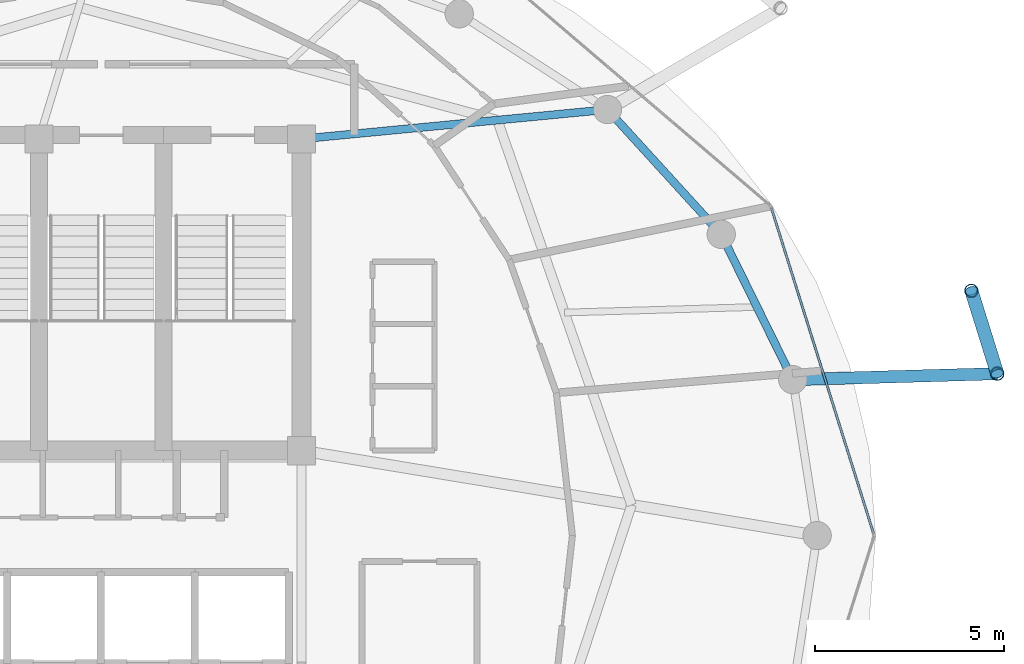
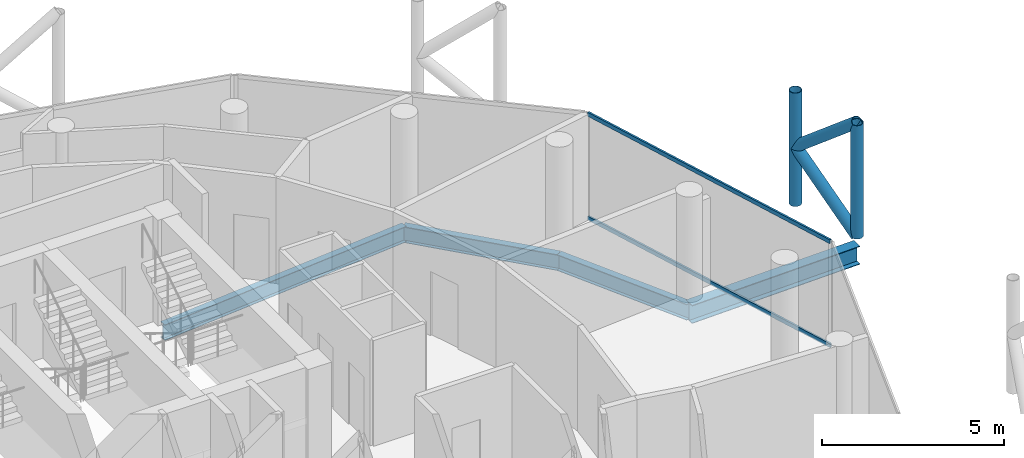
# One storey, part 13 of 24: 6 members, 4 beams, 1 element without a shape of its own.
"""IFC4 building model written with IfcOpenShell, lengths in metres."""

from ifc_helpers import new_model, si_unit, direction, frame, origin, origin_2d, place, context, subcontext, project, spatial, hollow_rectangle, hollow_circle, i_section, extrude, material, layer, layer_set, material_profile, profile_set, type_object, element, aggregate, save


model = new_model("IFC4")

# Units and contexts
model_context = context("Model", 3, precision=1e-05, world=origin(), true_north=direction((0.0, 1.0)))
body_context = subcontext(model_context, "Body", "Model", "MODEL_VIEW")
ifc_project = project(units=[si_unit("LENGTHUNIT", "METRE"), si_unit("AREAUNIT", "SQUARE_METRE"), si_unit("VOLUMEUNIT", "CUBIC_METRE"), si_unit("PLANEANGLEUNIT", "RADIAN"), si_unit("MASSUNIT", "GRAM", prefix="KILO")], contexts=[model_context])

# Site, building, storey
site_placement = place(None, origin())
site = spatial("IfcSite", under=ifc_project, at=site_placement, CompositionType="ELEMENT")
building_placement = place(site_placement, origin())
building = spatial("IfcBuilding", under=site, at=building_placement, Name="Nuhasar Tower", CompositionType="ELEMENT")
storey_placement = place(building_placement, frame((0.0, 0.0, 263.199951171875)))
storey = spatial("IfcBuildingStorey", under=building, at=storey_placement, Name="L65", CompositionType="ELEMENT", Elevation=263.199951171875)

# Beams
ifc_material_1 = material(Name="Steel S355", Category="steel")
ifc_material_profile_1 = material_profile(ifc_material_1, i_section(OverallWidth=0.208984375, OverallDepth=0.528076171875, WebThickness=0.009521484375, FlangeThickness=0.01318359375, at=origin_2d()), Name="W21X55")
ifc_profile_set_1 = profile_set([ifc_material_profile_1], Name="Steel S355")
beam_type_1 = type_object("IfcBeamType", Name="BM-RAD-W21X55", PredefinedType="BEAM", material=ifc_profile_set_1)
beam_1_placement = place(storey_placement, frame((44.300048828125, 37.300048828125, -0.52392578125), z_axis=(0.99542073054, 0.095590633496, 0.0), x_axis=(-0.095590633496, 0.99542073054, 0.0)))
element("IfcBeam", 1, at=beam_1_placement, inside=storey, type_object=beam_type_1, Name="L65 Radial Floor Girder 05", PredefinedType="BEAM", context=body_context, shape_type="SweptSolid", body=[
    extrude(i_section(OverallWidth=0.208984375, OverallDepth=0.528076171875, WebThickness=0.009521484375, FlangeThickness=0.01318359375, at=origin_2d()), origin(), (0.0, 0.0, 1.0), 8.13720703125),
])
ifc_material_profile_2 = material_profile(ifc_material_1, i_section(OverallWidth=0.2099609375, OverallDepth=0.537109375, WebThickness=0.010986328125, FlangeThickness=0.017333984375, at=origin_2d()), Name="W21X68")
ifc_profile_set_2 = profile_set([ifc_material_profile_2], Name="Steel S355")
beam_type_2 = type_object("IfcBeamType", Name="BM-RING-W21X68", PredefinedType="SPANDREL", material=ifc_profile_set_2)
beam_2_placement = place(storey_placement, frame((57.303955078125, 30.927978515625, -0.529052734375), z_axis=(-0.441533119295, 0.897244952377, 0.0), x_axis=(-0.897244952377, -0.441533119295, 0.0)))
element("IfcBeam", 2, at=beam_2_placement, inside=storey, type_object=beam_type_2, Name="L65 Perimeter Ring Spandrel 02", PredefinedType="SPANDREL", context=body_context, shape_type="SweptSolid", body=[
    extrude(i_section(OverallWidth=0.2099609375, OverallDepth=0.537109375, WebThickness=0.010986328125, FlangeThickness=0.017333984375, at=origin_2d()), origin(), (0.0, 0.0, 1.0), 4.28759765625),
])
beam_3_placement = place(storey_placement, frame((55.410888671875, 34.77490234375, -0.529052734375), z_axis=(-0.673686302939, 0.739017432293, 0.0), x_axis=(-0.739017432293, -0.673686302939, 0.0)))
element("IfcBeam", 3, at=beam_3_placement, inside=storey, type_object=beam_type_2, Name="L65 Perimeter Ring Spandrel 03", PredefinedType="SPANDREL", context=body_context, shape_type="SweptSolid", body=[
    extrude(i_section(OverallWidth=0.2099609375, OverallDepth=0.537109375, WebThickness=0.010986328125, FlangeThickness=0.017333984375, at=origin_2d()), origin(), (0.0, 0.0, 1.0), 4.469482421875),
])
ifc_material_profile_3 = material_profile(ifc_material_1, i_section(OverallWidth=0.323974609375, OverallDepth=0.611083984375, WebThickness=0.0126953125, FlangeThickness=0.01904296875, at=origin_2d()), Name="W24X104")
ifc_profile_set_3 = profile_set([ifc_material_profile_3], Name="Steel S355")
beam_type_3 = type_object("IfcBeamType", Name="BM-TIE-W24X104", PredefinedType="BEAM", material=ifc_profile_set_3)
beam_4_placement = place(storey_placement, frame((57.303955078125, 30.927978515625, -0.56494140625), z_axis=(0.999574661214, 0.029163275875, 0.0), x_axis=(-0.029163275875, 0.999574661214, 0.0)))
element("IfcBeam", 4, at=beam_4_placement, inside=storey, type_object=beam_type_3, Name="L65 Exoskeleton Node Tie Beam 01", PredefinedType="BEAM", context=body_context, shape_type="SweptSolid", body=[
    extrude(i_section(OverallWidth=0.323974609375, OverallDepth=0.611083984375, WebThickness=0.0126953125, FlangeThickness=0.01904296875, at=origin_2d()), origin(), (0.0, 0.0, 1.0), 5.416259765625),
])

# Curtain wall, members
ifc_material_2 = material(Name="Aluminium 6063-T6", Category="aluminium")
ifc_layer = layer(ifc_material_2, 0.18994140625)
ifc_layer_set = layer_set([ifc_layer], Name="Aluminium 6063-T6")
curtain_wall_type = type_object("IfcCurtainWallType", Name="CW-Z4-PEN", PredefinedType="NOTDEFINED", material=ifc_layer_set)
curtain_wall_placement = place(storey_placement, origin())
curtain_wall = element("IfcCurtainWall", 5, at=curtain_wall_placement, inside=storey, type_object=curtain_wall_type, Name="L65 Unitised Curtain Wall 01", PredefinedType="NOTDEFINED")
ifc_material_profile_4 = material_profile(ifc_material_2, hollow_rectangle(XDim=0.06005859375, YDim=0.135009765625, WallThickness=0.00439453125, at=origin_2d()), Name="CWT-5")
ifc_profile_set_4 = profile_set([ifc_material_profile_4], Name="Aluminium 6063-T6")
member_type_1 = type_object("IfcMemberType", Name="CW-TRN-S5", PredefinedType="USERDEFINED", material=ifc_profile_set_4)
member_1_placement = place(storey_placement, frame((59.442138671875, 26.857177734375, 0.030029296875), z_axis=(-0.29956014073, 0.954077419335, 0.0), x_axis=(-0.954077419335, -0.29956014073, 0.0)))
member_1 = element("IfcMember", 6, at=member_1_placement, type_object=member_type_1, Name="CW-Z4 transom 1.1", ObjectType="TRANSOM", PredefinedType="USERDEFINED", context=body_context, shape_type="SweptSolid", body=[
    extrude(hollow_rectangle(XDim=0.06005859375, YDim=0.135009765625, WallThickness=0.00439453125, at=origin_2d()), origin(), (0.0, 0.0, 1.0), 9.0302734375),
])
member_2_placement = place(storey_placement, frame((59.442138671875, 26.857177734375, 3.510009765625), z_axis=(-0.29956014073, 0.954077419335, 0.0), x_axis=(-0.954077419335, -0.29956014073, 0.0)))
member_2 = element("IfcMember", 7, at=member_2_placement, type_object=member_type_1, Name="CW-Z4 transom 1.2", ObjectType="TRANSOM", PredefinedType="USERDEFINED", context=body_context, shape_type="SweptSolid", body=[
    extrude(hollow_rectangle(XDim=0.06005859375, YDim=0.135009765625, WallThickness=0.00439453125, at=origin_2d()), origin(), (0.0, 0.0, 1.0), 9.0302734375),
])
aggregate(curtain_wall, [member_1, member_2])

# Members
ifc_material_3 = material(Name="Steel S460", Category="steel")
ifc_material_profile_5 = material_profile(ifc_material_3, hollow_circle(Radius=0.177734375, WallThickness=0.015869140625, at=origin_2d()), Name="HSS355.6X15.9")
ifc_profile_set_5 = profile_set([ifc_material_profile_5], Name="Steel S460")
member_type_2 = type_object("IfcMemberType", Name="EXO-BRONZE-356", PredefinedType="BRACE", material=ifc_profile_set_5)
for number, where, z_axis, x_axis, name in (
    (8, (62.718017578125, 31.0859375, 0.0), (0.0, 0.0, 1.0), (1.0, 0.0, 0.0), "L65 Exoskeleton Chord Column EC-01A"),
    (9, (62.032958984375, 33.281005859375, 0.0), (0.0, 0.0, 1.0), (1.0, 0.0, 0.0), "L65 Exoskeleton Chord Column EC-01B"),
):
    element("IfcMember", number, at=place(storey_placement, frame(where, z_axis=z_axis, x_axis=x_axis)), inside=storey, type_object=member_type_2, Name=name, PredefinedType="BRACE", context=body_context, shape_type="SweptSolid", body=[
        extrude(hollow_circle(Radius=0.177734375, WallThickness=0.015869140625, at=origin_2d()), origin(), (0.0, 0.0, 1.0), 3.800048828125),
    ])
for number, where, z_axis, x_axis, name in (
    (10, (62.718017578125, 31.0859375, 0.0), (-0.22965555433, 0.735863538482, 0.636995430987), (-0.954591372974, -0.297918295247, 0.0), "L65 Bronze Diagrid Brace W1-01"),
    (11, (62.032958984375, 33.281005859375, 1.900146484375), (0.229667527485, -0.735901902929, 0.636946792192), (0.954591372974, 0.297918295247, 0.0), "L65 Bronze Diagrid Brace W2-01"),
):
    element("IfcMember", number, at=place(storey_placement, frame(where, z_axis=z_axis, x_axis=x_axis)), inside=storey, type_object=member_type_2, Name=name, PredefinedType="BRACE", context=body_context, shape_type="SweptSolid", body=[
        extrude(hollow_circle(Radius=0.177734375, WallThickness=0.015869140625, at=origin_2d()), origin(), (0.0, 0.0, 1.0), 2.98291015625),
    ])

save(model, "model.ifc")
